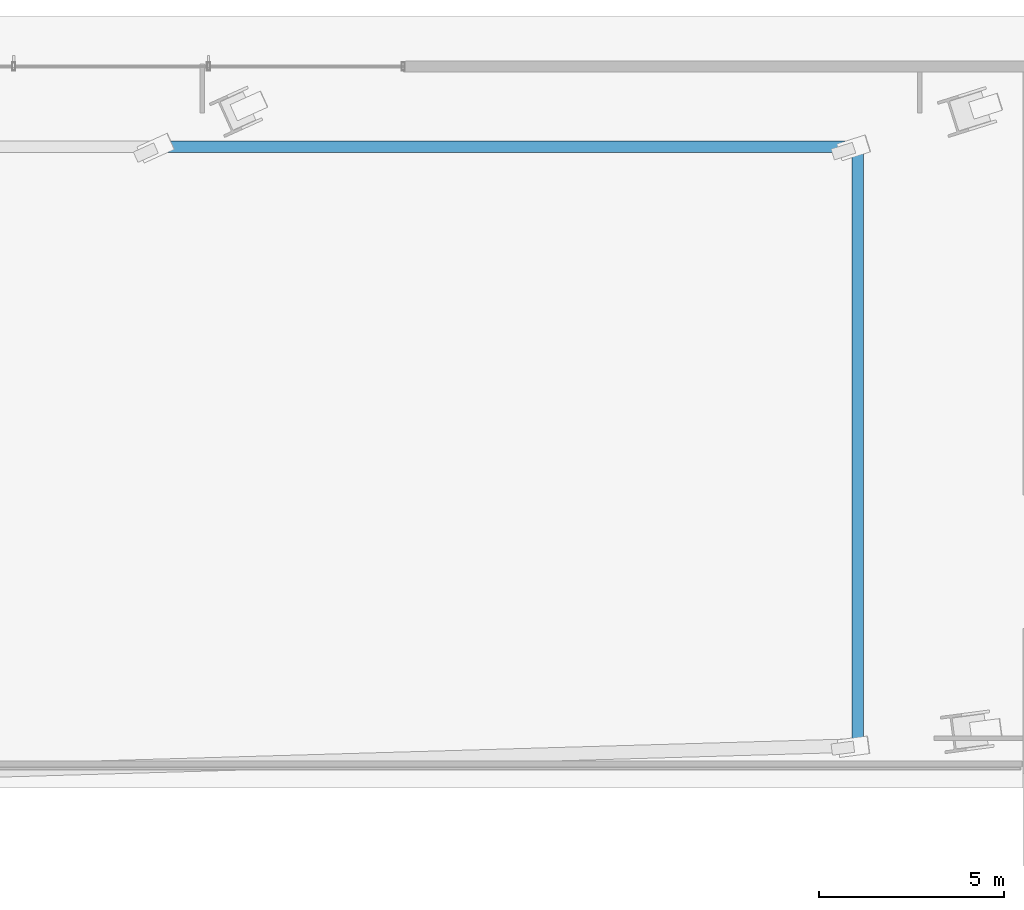
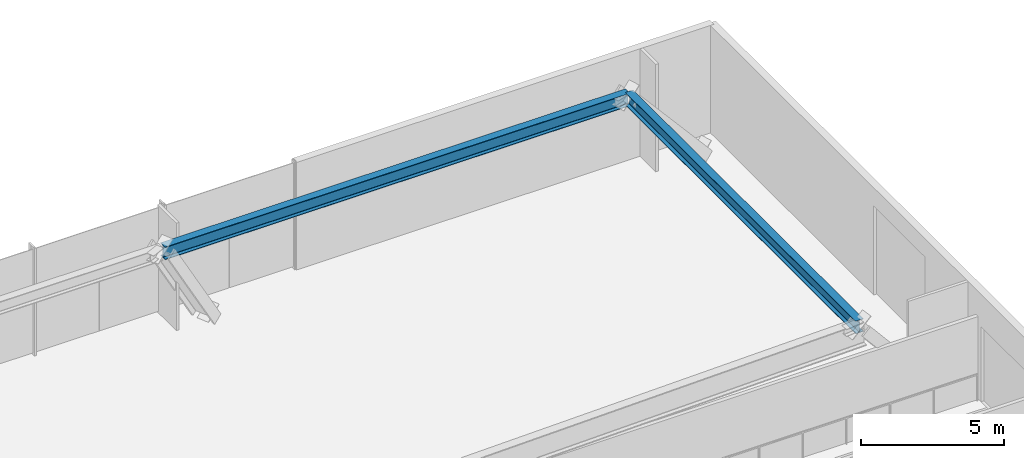
# One storey, part 20 of 31: 2 beams.
"""IFC4 building model written with IfcOpenShell, lengths in metres."""

from ifc_helpers import new_model, si_unit, direction, frame, origin, origin_2d, place, context, subcontext, project, spatial, i_section, extrude, source, transform, mapped, material, material_profile, profile_set, type_object, type_shapes, element, save


model = new_model("IFC4")

# Units and contexts
model_context = context("Model", 3, precision=1e-05, world=origin(), true_north=direction((0.0, 1.0)))
body_context = subcontext(model_context, "Body", "Model", "MODEL_VIEW")
ifc_project = project(units=[si_unit("LENGTHUNIT", "METRE"), si_unit("AREAUNIT", "SQUARE_METRE"), si_unit("VOLUMEUNIT", "CUBIC_METRE"), si_unit("PLANEANGLEUNIT", "RADIAN"), si_unit("MASSUNIT", "GRAM", prefix="KILO")], contexts=[model_context])

# Site, building, storey
site_placement = place(None, origin())
site = spatial("IfcSite", under=ifc_project, at=site_placement, CompositionType="ELEMENT")
building_placement = place(site_placement, origin())
building = spatial("IfcBuilding", under=site, at=building_placement, Name="Astriad Promenade Condominiums", CompositionType="ELEMENT")
storey_placement = place(building_placement, origin())
storey = spatial("IfcBuildingStorey", under=building, at=storey_placement, Name="L00", CompositionType="ELEMENT", Elevation=0.0)

# Beams
ifc_material = material(Name="Steel ASTM A992 Grade 50", Category="steel")
ifc_material_profile = material_profile(ifc_material, i_section(OverallWidth=0.3134765625, OverallDepth=0.54638671875, WebThickness=0.013916015625, FlangeThickness=0.022216796875, FilletRadius=0.0166015625, at=origin_2d()), Name="W21X111")
ifc_profile_set = profile_set([ifc_material_profile], Name="Steel ASTM A992 Grade 50")
beam_type = type_object("IfcBeamType", Name="STEEL SPANDREL BEAM W21X111", PredefinedType="SPANDREL", material=ifc_profile_set)
shared_shape_1 = source(origin(), body_context, "Body", "SweptSolid", [
    extrude(i_section(OverallWidth=0.3134765625, OverallDepth=0.54638671875, WebThickness=0.013916015625, FlangeThickness=0.022216796875, FilletRadius=0.0166015625, at=origin_2d()), origin(), (0.0, 0.0, 1.0), 18.748779296875),
])
beam_1_placement = place(storey_placement, frame((78.206787109375, 34.49169921875, 4.306884765625), z_axis=(-1.0, 0.0, 0.0), x_axis=(0.0, -1.0, 0.0)))
element("IfcBeam", 1, at=beam_1_placement, inside=storey, type_object=beam_type, Name="Perimeter Spandrel Beam SP-N4-L00", PredefinedType="SPANDREL", context=body_context, shape_type="MappedRepresentation", body=[
    mapped(shared_shape_1, transform((0.0, 0.0, 0.0), scale=1.0)),
])
shared_shape_2 = source(origin(), body_context, "Body", "SweptSolid", [
    extrude(i_section(OverallWidth=0.3134765625, OverallDepth=0.54638671875, WebThickness=0.013916015625, FlangeThickness=0.022216796875, FilletRadius=0.0166015625, at=origin_2d()), origin(), (0.0, 0.0, 1.0), 16.081787109375),
])
type_shapes(beam_type, [shared_shape_1, shared_shape_2])
beam_2_placement = place(storey_placement, frame((78.24658203125, 18.369873046875, 4.306884765625), z_axis=(0.0, 1.0, 0.0), x_axis=(-1.0, 0.0, 0.0)))
element("IfcBeam", 2, at=beam_2_placement, inside=storey, type_object=beam_type, Name="Perimeter Spandrel Beam SP-E2-L00", PredefinedType="SPANDREL", context=body_context, shape_type="MappedRepresentation", body=[
    mapped(shared_shape_2, transform((0.0, 0.0, 0.0), scale=1.0)),
])

save(model, "model.ifc")
